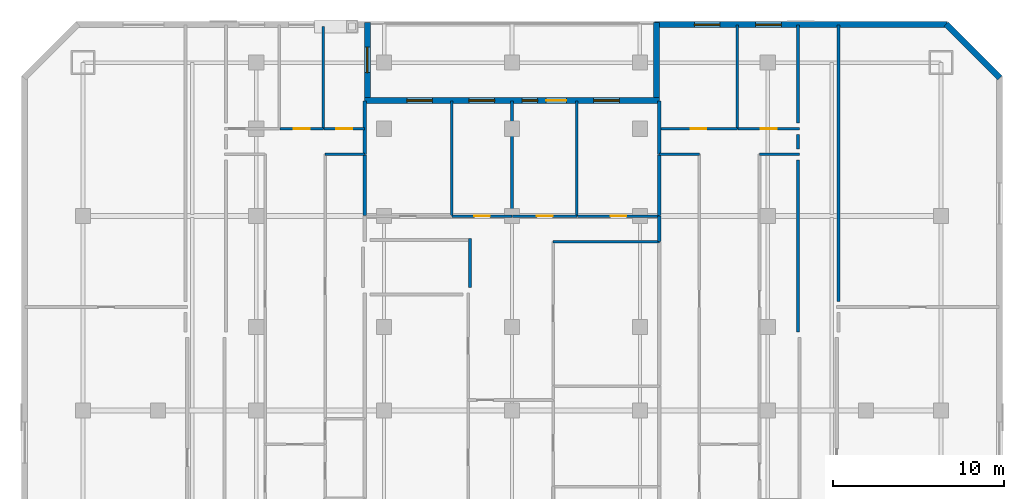
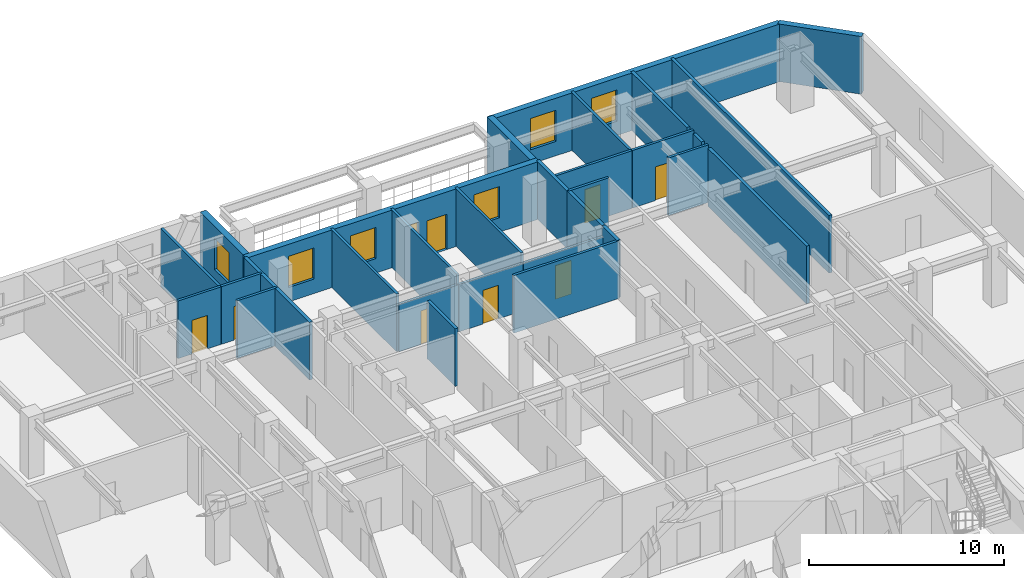
# One storey, part 7 of 9: 31 walls, 8 doors, 7 windows, 15 openings.
"""IFC4 building model written with IfcOpenShell, lengths in metres."""

from ifc_helpers import new_model, si_unit, direction, frame, frame_2d, origin, place, context, subcontext, project, spatial, rectangle, extrude, material, layer, layer_set, type_object, element, fill, save


model = new_model("IFC4")

# Units and contexts
model_context = context("Model", 3, precision=1e-05, world=origin(), true_north=direction((0.0, 1.0)))
body_context = subcontext(model_context, "Body", "Model", "MODEL_VIEW")
ifc_project = project(units=[si_unit("LENGTHUNIT", "METRE"), si_unit("AREAUNIT", "SQUARE_METRE"), si_unit("VOLUMEUNIT", "CUBIC_METRE"), si_unit("PLANEANGLEUNIT", "RADIAN"), si_unit("MASSUNIT", "GRAM", prefix="KILO")], contexts=[model_context])

# Site, building, storey
site_placement = place(None, origin())
site = spatial("IfcSite", under=ifc_project, at=site_placement, CompositionType="ELEMENT")
building_placement = place(site_placement, origin())
building = spatial("IfcBuilding", under=site, at=building_placement, Name="Ventersveld Concourse Tower", CompositionType="ELEMENT")
storey_placement = place(building_placement, frame((0.0, 0.0, 68.300048828125)))
storey = spatial("IfcBuildingStorey", under=building, at=storey_placement, Name="L16", CompositionType="ELEMENT", Elevation=68.300048828125)

# Walls
ifc_material_1 = material(Name="Fire-rated autoclaved aerated masonry blockwork", Category="masonry")
ifc_layer_1 = layer(ifc_material_1, 0.179931640625)
ifc_layer_set_1 = layer_set([ifc_layer_1], Name="Fire-rated autoclaved aerated masonry blockwork")
wall_type_1 = type_object("IfcWallType", Name="WL-CORR-180", PredefinedType="PARTITIONING", material=ifc_layer_set_1)
wall_1_placement = place(storey_placement, frame((47.8798828125, 29.9951171875, 0.0), z_axis=(0.0, 0.0, 1.0), x_axis=(0.0, 1.0, 0.0)))
element("IfcWall", 1, at=wall_1_placement, inside=storey, type_object=wall_type_1, Name="L16 Room Enclosure Wall SP-L16-NELNG2", PredefinedType="PARTITIONING", context=body_context, shape_type="SweptSolid", body=[
    extrude(rectangle(XDim=16.19482421875, YDim=0.179931640625, at=frame_2d((8.097412109375, 0.0))), origin(), (0.0, 0.0, 1.0), 3.599853515625),
])
wall_2_placement = place(storey_placement, frame((45.52001953125, 39.794921875, 0.0), z_axis=(0.0, 0.0, 1.0), x_axis=(0.0, -1.0, 0.0)))
element("IfcWall", 2, at=wall_2_placement, inside=storey, type_object=wall_type_1, Name="L16 Room Enclosure Wall SP-L16-16CE-LIV", PredefinedType="PARTITIONING", context=body_context, shape_type="SweptSolid", body=[
    extrude(rectangle(XDim=0.849853515625, YDim=0.179931640625, at=frame_2d((0.4248046875, 0.0))), origin(), (0.0, 0.0, 1.0), 3.599853515625),
])
wall_3_placement = place(storey_placement, frame((45.52001953125, 38.294921875, 0.0), z_axis=(0.0, 0.0, 1.0), x_axis=(0.0, -1.0, 0.0)))
element("IfcWall", 3, at=wall_3_placement, inside=storey, type_object=wall_type_1, Name="L16 Room Enclosure Wall SP-L16-16CE-SEMR1", PredefinedType="PARTITIONING", context=body_context, shape_type="SweptSolid", body=[
    extrude(rectangle(XDim=10.0849609375, YDim=0.179931640625, at=frame_2d((5.04248046875, 0.0))), origin(), (0.0, 0.0, 1.0), 3.599853515625),
])
wall_4_placement = place(storey_placement, frame((45.52001953125, 46.18994140625, 0.0), z_axis=(0.0, 0.0, 1.0), x_axis=(0.0, -1.0, 0.0)))
element("IfcWall", 4, at=wall_4_placement, inside=storey, type_object=wall_type_1, Name="L16 Room Enclosure Wall SP-L16-16CE-BR2", PredefinedType="PARTITIONING", context=body_context, shape_type="SweptSolid", body=[
    extrude(rectangle(XDim=5.744873046875, YDim=0.179931640625, at=frame_2d((2.87255859375, 0.0))), origin(), (0.0, 0.0, 1.0), 3.599853515625),
])
wall_5_placement = place(storey_placement, frame((26.27880859375, 30.813720703125, 0.0), z_axis=(0.0, 0.0, 1.0), x_axis=(0.0, 1.0, 0.0)))
element("IfcWall", 5, at=wall_5_placement, inside=storey, type_object=wall_type_1, Name="L16 Room Enclosure Wall SP-L16-16CM-LIV", PredefinedType="PARTITIONING", context=body_context, shape_type="SweptSolid", body=[
    extrude(rectangle(XDim=2.871337890625, YDim=0.179931640625, at=frame_2d((1.435546875, 0.0))), origin(), (0.0, 0.0, 1.0), 3.599853515625),
])
ifc_layer_2 = layer(ifc_material_1, 0.199951171875)
ifc_layer_set_2 = layer_set([ifc_layer_2], Name="Fire-rated autoclaved aerated masonry blockwork")
wall_type_2 = type_object("IfcWallType", Name="WL-DEMISE-200", PredefinedType="PARTITIONING", material=ifc_layer_set_2)
wall_6_placement = place(storey_placement, frame((20.110107421875, 38.614990234375, 0.0), z_axis=(0.0, 0.0, 1.0), x_axis=(0.0, 1.0, 0.0)))
element("IfcWall", 6, at=wall_6_placement, inside=storey, type_object=wall_type_2, Name="L16 Interior Partition SP-L16-16CW-LIV-SP-L16-16CM-BR1", PredefinedType="PARTITIONING", context=body_context, shape_type="SweptSolid", body=[
    extrude(rectangle(XDim=3.125, YDim=0.199951171875, at=frame_2d((1.5625, 0.0))), origin(), (0.0, 0.0, 1.0), 3.599853515625),
])
wall_7_placement = place(storey_placement, frame((20.110107421875, 35.034912109375, 0.0), z_axis=(0.0, 0.0, 1.0), x_axis=(0.0, 1.0, 0.0)))
element("IfcWall", 7, at=wall_7_placement, inside=storey, type_object=wall_type_2, Name="L16 Interior Partition SP-L16-16CW-DENR-SP-L16-16CM-BR1", PredefinedType="PARTITIONING", context=body_context, shape_type="SweptSolid", body=[
    extrude(rectangle(XDim=3.550048828125, YDim=0.199951171875, at=frame_2d((1.77490234375, 0.0))), origin(), (0.0, 0.0, 1.0), 3.599853515625),
])
wall_8_placement = place(storey_placement, frame((37.389892578125, 38.614990234375, 0.0), z_axis=(0.0, 0.0, 1.0), x_axis=(0.0, 1.0, 0.0)))
element("IfcWall", 8, at=wall_8_placement, inside=storey, type_object=wall_type_2, Name="L16 Interior Partition SP-L16-16CE-LIV-SP-L16-16CM-BR4", PredefinedType="PARTITIONING", context=body_context, shape_type="SweptSolid", body=[
    extrude(rectangle(XDim=3.125, YDim=0.199951171875, at=frame_2d((1.5625, 0.0))), origin(), (0.0, 0.0, 1.0), 3.599853515625),
])
wall_9_placement = place(storey_placement, frame((37.389892578125, 33.4951171875, 0.0), z_axis=(0.0, 0.0, 1.0), x_axis=(0.0, 1.0, 0.0)))
element("IfcWall", 9, at=wall_9_placement, inside=storey, type_object=wall_type_2, Name="L16 Interior Partition SP-L16-16CE-OFFL0-SP-L16-16CM-LIV", PredefinedType="PARTITIONING", context=body_context, shape_type="SweptSolid", body=[
    extrude(rectangle(XDim=1.509765625, YDim=0.199951171875, at=frame_2d((0.7548828125, 0.0))), origin(), (0.0, 0.0, 1.0), 3.599853515625),
])
wall_10_placement = place(storey_placement, frame((37.389892578125, 35.034912109375, 0.0), z_axis=(0.0, 0.0, 1.0), x_axis=(0.0, 1.0, 0.0)))
element("IfcWall", 10, at=wall_10_placement, inside=storey, type_object=wall_type_2, Name="L16 Interior Partition SP-L16-16CE-OFFL0-SP-L16-16CM-BR4", PredefinedType="PARTITIONING", context=body_context, shape_type="SweptSolid", body=[
    extrude(rectangle(XDim=3.550048828125, YDim=0.199951171875, at=frame_2d((1.77490234375, 0.0))), origin(), (0.0, 0.0, 1.0), 3.599853515625),
])
ifc_material_2 = material(Name="Autoclaved aerated masonry blockwork", Category="masonry")
ifc_layer_3 = layer(ifc_material_2, 0.14990234375)
ifc_layer_set_3 = layer_set([ifc_layer_3], Name="Autoclaved aerated masonry blockwork")
wall_type_3 = type_object("IfcWallType", Name="WL-INT-150", PredefinedType="PARTITIONING", material=ifc_layer_set_3)
wall_11_placement = place(storey_placement, frame((17.78759765625, 38.6201171875, 0.0), z_axis=(0.0, 0.0, 1.0), x_axis=(1.0, 0.0, 0.0)))
element("IfcWall", 11, at=wall_11_placement, inside=storey, type_object=wall_type_3, Name="L16 Interior Partition SP-L16-16CW-LIV-SP-L16-16CW-DENR", PredefinedType="PARTITIONING", context=body_context, shape_type="SweptSolid", body=[
    extrude(rectangle(XDim=2.327392578125, YDim=0.14990234375, at=frame_2d((1.16357421875, 0.0))), origin(), (0.0, 0.0, 1.0), 3.599853515625),
])

# Wall, opening, door
wall_12_placement = place(storey_placement, frame((15.14501953125, 40.1201171875, 0.0), z_axis=(0.0, 0.0, 1.0), x_axis=(1.0, 0.0, 0.0)))
wall_12 = element("IfcWall", 12, at=wall_12_placement, inside=storey, type_object=wall_type_3, Name="L16 Interior Partition SP-L16-16CW-LIV-SP-L16-16CW-BR2", PredefinedType="PARTITIONING", context=body_context, shape_type="SweptSolid", body=[
    extrude(rectangle(XDim=2.550048828125, YDim=0.14990234375, at=frame_2d((1.27490234375, 0.0))), origin(), (0.0, 0.0, 1.0), 3.599853515625),
])
opening_1_placement = place(wall_12_placement, frame((0.81494140625, 0.0, 0.0)))
opening_1 = element("IfcOpeningElement", 13, at=opening_1_placement, cuts=wall_12, Name="Opening ID1", PredefinedType="OPENING", context=body_context, shape_type="SweptSolid", body=[
    extrude(rectangle(XDim=0.919921875, YDim=2.10009765625, at=frame_2d((0.4599609375, 1.050048828125))), frame((0.0, 0.0849609375, 0.0), z_axis=(0.0, -1.0, 0.0), x_axis=(1.0, 0.0, 0.0)), (0.0, 0.0, 1.0), 0.169921875),
])
ifc_material_3 = material(Name="Solid-core hardwood veneer timber", Category="wood")
door_type_1 = type_object("IfcDoorType", Name="DR-ROOM-092", OperationType="NOTDEFINED", PredefinedType="DOOR", material=ifc_material_3)
door_1_placement = place(opening_1_placement, origin())
door_1 = element("IfcDoor", 14, at=door_1_placement, inside=storey, type_object=door_type_1, Name="L16 Interior Door SP-L16-16CW-LIV to SP-L16-16CW-BR2 (D-L16-0743)", OperationType="SINGLE_SWING_LEFT", OverallHeight=2.10009765625, OverallWidth=0.919921875, PredefinedType="DOOR", context=body_context, shape_type="SweptSolid", body=[
    extrude(rectangle(XDim=0.919921875, YDim=2.10009765625, at=frame_2d((0.4599609375, 1.050048828125))), frame((0.0, 0.02490234375, 0.0), z_axis=(0.0, -1.0, 0.0), x_axis=(1.0, 0.0, 0.0)), (0.0, 0.0, 1.0), 0.050048828125),
])
fill(opening_1, door_1)

wall_13_placement = place(storey_placement, frame((17.72509765625, 40.1201171875, 0.0), z_axis=(0.0, 0.0, 1.0), x_axis=(1.0, 0.0, 0.0)))
wall_13 = element("IfcWall", 15, at=wall_13_placement, inside=storey, type_object=wall_type_3, Name="L16 Interior Partition SP-L16-16CW-LIV-SP-L16-16CW-BR3", PredefinedType="PARTITIONING", context=body_context, shape_type="SweptSolid", body=[
    extrude(rectangle(XDim=2.389892578125, YDim=0.14990234375, at=frame_2d((1.19482421875, 0.0))), origin(), (0.0, 0.0, 1.0), 3.599853515625),
])
opening_2_placement = place(wall_13_placement, frame((0.735107421875, 0.0, 0.0)))
opening_2 = element("IfcOpeningElement", 16, at=opening_2_placement, cuts=wall_13, Name="Opening ID1", PredefinedType="OPENING", context=body_context, shape_type="SweptSolid", body=[
    extrude(rectangle(XDim=0.919921875, YDim=2.10009765625, at=frame_2d((0.4599609375, 1.050048828125))), frame((0.0, 0.0849609375, 0.0), z_axis=(0.0, -1.0, 0.0), x_axis=(1.0, 0.0, 0.0)), (0.0, 0.0, 1.0), 0.169921875),
])
door_2_placement = place(opening_2_placement, origin())
door_2 = element("IfcDoor", 17, at=door_2_placement, inside=storey, type_object=door_type_1, Name="L16 Interior Door SP-L16-16CW-LIV to SP-L16-16CW-BR3 (D-L16-0744)", OperationType="SINGLE_SWING_RIGHT", OverallHeight=2.10009765625, OverallWidth=0.919921875, PredefinedType="DOOR", context=body_context, shape_type="SweptSolid", body=[
    extrude(rectangle(XDim=0.919921875, YDim=2.10009765625, at=frame_2d((0.4599609375, 1.050048828125))), frame((0.0, 0.02490234375, 0.0), z_axis=(0.0, -1.0, 0.0), x_axis=(1.0, 0.0, 0.0)), (0.0, 0.0, 1.0), 0.050048828125),
])
fill(opening_2, door_2)

# Walls
wall_14_placement = place(storey_placement, frame((17.68994140625, 40.114990234375, 0.0), z_axis=(0.0, 0.0, 1.0), x_axis=(0.0, 1.0, 0.0)))
element("IfcWall", 18, at=wall_14_placement, inside=storey, type_object=wall_type_3, Name="L16 Interior Partition SP-L16-16CW-BR2-SP-L16-16CW-BR3", PredefinedType="PARTITIONING", context=body_context, shape_type="SweptSolid", body=[
    extrude(rectangle(XDim=5.987060546875, YDim=0.14990234375, at=frame_2d((2.99365234375, 0.0))), origin(), (0.0, 0.0, 1.0), 3.599853515625),
])
for number, where, z_axis, x_axis, name in (
    (19, (37.385009765625, 38.6201171875, 0.0), (0.0, 0.0, 1.0), (1.0, 0.0, 0.0), "L16 Interior Partition SP-L16-16CE-LIV-SP-L16-16CE-OFFL0"),
    (20, (43.254150390625, 38.6201171875, 0.0), (0.0, 0.0, 1.0), (1.0, 0.0, 0.0), "L16 Interior Partition SP-L16-16CE-LIV-SP-L16-16CE-SEMR1"),
):
    element("IfcWall", number, at=place(storey_placement, frame(where, z_axis=z_axis, x_axis=x_axis)), inside=storey, type_object=wall_type_3, Name=name, PredefinedType="PARTITIONING", context=body_context, shape_type="SweptSolid", body=[
        extrude(rectangle(XDim=2.36083984375, YDim=0.14990234375, at=frame_2d((1.180419921875, 0.0))), origin(), (0.0, 0.0, 1.0), 3.599853515625),
    ])

# Wall, opening, door
wall_15_placement = place(storey_placement, frame((37.385009765625, 40.1201171875, 0.0), z_axis=(0.0, 0.0, 1.0), x_axis=(1.0, 0.0, 0.0)))
wall_15 = element("IfcWall", 21, at=wall_15_placement, inside=storey, type_object=wall_type_3, Name="L16 Interior Partition SP-L16-16CE-LIV-SP-L16-16CE-BR1", PredefinedType="PARTITIONING", context=body_context, shape_type="SweptSolid", body=[
    extrude(rectangle(XDim=4.582275390625, YDim=0.14990234375, at=frame_2d((2.291015625, 0.0))), origin(), (0.0, 0.0, 1.0), 3.599853515625),
])
opening_3_placement = place(wall_15_placement, frame((1.831298828125, 0.0, 0.0)))
opening_3 = element("IfcOpeningElement", 22, at=opening_3_placement, cuts=wall_15, Name="Opening ID1", PredefinedType="OPENING", context=body_context, shape_type="SweptSolid", body=[
    extrude(rectangle(XDim=0.919921875, YDim=2.10009765625, at=frame_2d((0.4599609375, 1.050048828125))), frame((0.0, 0.0849609375, 0.0), z_axis=(0.0, -1.0, 0.0), x_axis=(1.0, 0.0, 0.0)), (0.0, 0.0, 1.0), 0.169921875),
])
door_3_placement = place(opening_3_placement, origin())
door_3 = element("IfcDoor", 23, at=door_3_placement, inside=storey, type_object=door_type_1, Name="L16 Interior Door SP-L16-16CE-LIV to SP-L16-16CE-BR1 (D-L16-0752)", OperationType="SINGLE_SWING_RIGHT", OverallHeight=2.10009765625, OverallWidth=0.919921875, PredefinedType="DOOR", context=body_context, shape_type="SweptSolid", body=[
    extrude(rectangle(XDim=0.919921875, YDim=2.10009765625, at=frame_2d((0.4599609375, 1.050048828125))), frame((0.0, 0.02490234375, 0.0), z_axis=(0.0, -1.0, 0.0), x_axis=(1.0, 0.0, 0.0)), (0.0, 0.0, 1.0), 0.050048828125),
])
fill(opening_3, door_3)

wall_16_placement = place(storey_placement, frame((41.997314453125, 40.1201171875, 0.0), z_axis=(0.0, 0.0, 1.0), x_axis=(1.0, 0.0, 0.0)))
wall_16 = element("IfcWall", 24, at=wall_16_placement, inside=storey, type_object=wall_type_3, Name="L16 Interior Partition SP-L16-16CE-LIV-SP-L16-16CE-BR2", PredefinedType="PARTITIONING", context=body_context, shape_type="SweptSolid", body=[
    extrude(rectangle(XDim=3.61767578125, YDim=0.14990234375, at=frame_2d((1.808837890625, 0.0))), origin(), (0.0, 0.0, 1.0), 3.599853515625),
])
opening_4_placement = place(wall_16_placement, frame((1.348876953125, 0.0, 0.0)))
opening_4 = element("IfcOpeningElement", 25, at=opening_4_placement, cuts=wall_16, Name="Opening ID1", PredefinedType="OPENING", context=body_context, shape_type="SweptSolid", body=[
    extrude(rectangle(XDim=0.919921875, YDim=2.10009765625, at=frame_2d((0.4599609375, 1.050048828125))), frame((0.0, 0.0849609375, 0.0), z_axis=(0.0, -1.0, 0.0), x_axis=(1.0, 0.0, 0.0)), (0.0, 0.0, 1.0), 0.169921875),
])
door_4_placement = place(opening_4_placement, origin())
door_4 = element("IfcDoor", 26, at=door_4_placement, inside=storey, type_object=door_type_1, Name="L16 Interior Door SP-L16-16CE-LIV to SP-L16-16CE-BR2 (D-L16-0753)", OperationType="SINGLE_SWING_LEFT", OverallHeight=2.10009765625, OverallWidth=0.919921875, PredefinedType="DOOR", context=body_context, shape_type="SweptSolid", body=[
    extrude(rectangle(XDim=0.919921875, YDim=2.10009765625, at=frame_2d((0.4599609375, 1.050048828125))), frame((0.0, 0.02490234375, 0.0), z_axis=(0.0, -1.0, 0.0), x_axis=(1.0, 0.0, 0.0)), (0.0, 0.0, 1.0), 0.050048828125),
])
fill(opening_4, door_4)

# Walls
wall_17_placement = place(storey_placement, frame((41.96240234375, 40.114990234375, 0.0), z_axis=(0.0, 0.0, 1.0), x_axis=(0.0, 1.0, 0.0)))
element("IfcWall", 27, at=wall_17_placement, inside=storey, type_object=wall_type_3, Name="L16 Interior Partition SP-L16-16CE-BR1-SP-L16-16CE-BR2", PredefinedType="PARTITIONING", context=body_context, shape_type="SweptSolid", body=[
    extrude(rectangle(XDim=6.074951171875, YDim=0.14990234375, at=frame_2d((3.03759765625, 0.0))), origin(), (0.0, 0.0, 1.0), 3.599853515625),
])
wall_18_placement = place(storey_placement, frame((31.163818359375, 33.5, 0.0), z_axis=(0.0, 0.0, 1.0), x_axis=(1.0, 0.0, 0.0)))
element("IfcWall", 28, at=wall_18_placement, inside=storey, type_object=wall_type_3, Name="L16 Interior Partition SP-L16-16CM-LIV-SP-L16-16CM-DENS2", PredefinedType="PARTITIONING", context=body_context, shape_type="SweptSolid", body=[
    extrude(rectangle(XDim=6.231201171875, YDim=0.14990234375, at=frame_2d((3.11572265625, 0.0))), origin(), (0.0, 0.0, 1.0), 3.599853515625),
])

# Wall, opening, door
wall_19_placement = place(storey_placement, frame((25.2412109375, 35.0, 0.0), z_axis=(0.0, 0.0, 1.0), x_axis=(1.0, 0.0, 0.0)))
wall_19 = element("IfcWall", 29, at=wall_19_placement, inside=storey, type_object=wall_type_3, Name="L16 Interior Partition SP-L16-16CM-LIV-SP-L16-16CM-BR2", PredefinedType="PARTITIONING", context=body_context, shape_type="SweptSolid", body=[
    extrude(rectangle(XDim=3.513671875, YDim=0.14990234375, at=frame_2d((1.7568359375, 0.0))), origin(), (0.0, 0.0, 1.0), 2.964111328125),
])
opening_5_placement = place(wall_19_placement, frame((1.296875, 0.0, 0.0)))
opening_5 = element("IfcOpeningElement", 30, at=opening_5_placement, cuts=wall_19, Name="Opening ID1", PredefinedType="OPENING", context=body_context, shape_type="SweptSolid", body=[
    extrude(rectangle(XDim=0.919921875, YDim=2.10009765625, at=frame_2d((0.4599609375, 1.050048828125))), frame((0.0, 0.0849609375, 0.0), z_axis=(0.0, -1.0, 0.0), x_axis=(1.0, 0.0, 0.0)), (0.0, 0.0, 1.0), 0.169921875),
])
door_5_placement = place(opening_5_placement, origin())
door_5 = element("IfcDoor", 31, at=door_5_placement, inside=storey, type_object=door_type_1, Name="L16 Interior Door SP-L16-16CM-LIV to SP-L16-16CM-BR2 (D-L16-0764)", OperationType="SINGLE_SWING_RIGHT", OverallHeight=2.10009765625, OverallWidth=0.919921875, PredefinedType="DOOR", context=body_context, shape_type="SweptSolid", body=[
    extrude(rectangle(XDim=0.919921875, YDim=2.10009765625, at=frame_2d((0.4599609375, 1.050048828125))), frame((0.0, 0.02490234375, 0.0), z_axis=(0.0, -1.0, 0.0), x_axis=(1.0, 0.0, 0.0)), (0.0, 0.0, 1.0), 0.050048828125),
])
fill(opening_5, door_5)

wall_20_placement = place(storey_placement, frame((28.784912109375, 35.0, 0.0), z_axis=(0.0, 0.0, 1.0), x_axis=(1.0, 0.0, 0.0)))
wall_20 = element("IfcWall", 32, at=wall_20_placement, inside=storey, type_object=wall_type_3, Name="L16 Interior Partition SP-L16-16CM-LIV-SP-L16-16CM-BR3", PredefinedType="PARTITIONING", context=body_context, shape_type="SweptSolid", body=[
    extrude(rectangle(XDim=3.772705078125, YDim=0.14990234375, at=frame_2d((1.88623046875, 0.0))), origin(), (0.0, 0.0, 1.0), 2.964111328125),
])
opening_6_placement = place(wall_20_placement, frame((1.42626953125, 0.0, 0.0)))
opening_6 = element("IfcOpeningElement", 33, at=opening_6_placement, cuts=wall_20, Name="Opening ID1", PredefinedType="OPENING", context=body_context, shape_type="SweptSolid", body=[
    extrude(rectangle(XDim=0.919921875, YDim=2.10009765625, at=frame_2d((0.4599609375, 1.050048828125))), frame((0.0, 0.0849609375, 0.0), z_axis=(0.0, -1.0, 0.0), x_axis=(1.0, 0.0, 0.0)), (0.0, 0.0, 1.0), 0.169921875),
])
door_6_placement = place(opening_6_placement, origin())
door_6 = element("IfcDoor", 34, at=door_6_placement, inside=storey, type_object=door_type_1, Name="L16 Interior Door SP-L16-16CM-LIV to SP-L16-16CM-BR3 (D-L16-0765)", OperationType="SINGLE_SWING_LEFT", OverallHeight=2.10009765625, OverallWidth=0.919921875, PredefinedType="DOOR", context=body_context, shape_type="SweptSolid", body=[
    extrude(rectangle(XDim=0.919921875, YDim=2.10009765625, at=frame_2d((0.4599609375, 1.050048828125))), frame((0.0, 0.02490234375, 0.0), z_axis=(0.0, -1.0, 0.0), x_axis=(1.0, 0.0, 0.0)), (0.0, 0.0, 1.0), 0.050048828125),
])
fill(opening_6, door_6)

wall_21_placement = place(storey_placement, frame((32.58740234375, 35.0, 0.0), z_axis=(0.0, 0.0, 1.0), x_axis=(1.0, 0.0, 0.0)))
wall_21 = element("IfcWall", 35, at=wall_21_placement, inside=storey, type_object=wall_type_3, Name="L16 Interior Partition SP-L16-16CM-LIV-SP-L16-16CM-BR4", PredefinedType="PARTITIONING", context=body_context, shape_type="SweptSolid", body=[
    extrude(rectangle(XDim=4.8076171875, YDim=0.14990234375, at=frame_2d((2.40380859375, 0.0))), origin(), (0.0, 0.0, 1.0), 2.964111328125),
])
opening_7_placement = place(wall_21_placement, frame((1.94384765625, 0.0, 0.0)))
opening_7 = element("IfcOpeningElement", 36, at=opening_7_placement, cuts=wall_21, Name="Opening ID1", PredefinedType="OPENING", context=body_context, shape_type="SweptSolid", body=[
    extrude(rectangle(XDim=0.919921875, YDim=2.10009765625, at=frame_2d((0.4599609375, 1.050048828125))), frame((0.0, 0.0849609375, 0.0), z_axis=(0.0, -1.0, 0.0), x_axis=(1.0, 0.0, 0.0)), (0.0, 0.0, 1.0), 0.169921875),
])
door_7_placement = place(opening_7_placement, origin())
door_7 = element("IfcDoor", 37, at=door_7_placement, inside=storey, type_object=door_type_1, Name="L16 Interior Door SP-L16-16CM-LIV to SP-L16-16CM-BR4 (D-L16-0766)", OperationType="SINGLE_SWING_RIGHT", OverallHeight=2.10009765625, OverallWidth=0.919921875, PredefinedType="DOOR", context=body_context, shape_type="SweptSolid", body=[
    extrude(rectangle(XDim=0.919921875, YDim=2.10009765625, at=frame_2d((0.4599609375, 1.050048828125))), frame((0.0, 0.02490234375, 0.0), z_axis=(0.0, -1.0, 0.0), x_axis=(1.0, 0.0, 0.0)), (0.0, 0.0, 1.0), 0.050048828125),
])
fill(opening_7, door_7)

# Walls
for number, where, z_axis, x_axis, name in (
    (38, (25.206298828125, 34.9951171875, 0.0), (0.0, 0.0, 1.0), (0.0, 1.0, 0.0), "L16 Interior Partition SP-L16-16CM-BR1-SP-L16-16CM-BR2"),
    (39, (28.75, 34.9951171875, 0.0), (0.0, 0.0, 1.0), (0.0, 1.0, 0.0), "L16 Interior Partition SP-L16-16CM-BR2-SP-L16-16CM-BR3"),
    (40, (32.552490234375, 34.9951171875, 0.0), (0.0, 0.0, 1.0), (0.0, 1.0, 0.0), "L16 Interior Partition SP-L16-16CM-BR3-SP-L16-16CM-BR4"),
):
    element("IfcWall", number, at=place(storey_placement, frame(where, z_axis=z_axis, x_axis=x_axis)), inside=storey, type_object=wall_type_3, Name=name, PredefinedType="PARTITIONING", context=body_context, shape_type="SweptSolid", body=[
        extrude(rectangle(XDim=6.744873046875, YDim=0.14990234375, at=frame_2d((3.37255859375, 0.0))), origin(), (0.0, 0.0, 1.0), 3.599853515625),
    ])
ifc_material_4 = material(Name="Precast concrete C45/55", Category="concrete")
ifc_layer_4 = layer(ifc_material_4, 0.35009765625)
ifc_layer_set_4 = layer_set([ifc_layer_4], Name="Precast concrete C45/55")
wall_type_4 = type_object("IfcWallType", Name="WL-PREC-350", PredefinedType="SOLIDWALL", material=ifc_layer_set_4)
wall_22_placement = place(storey_placement, frame((57.347900390625, 43.1044921875, 0.0), z_axis=(0.0, 0.0, 1.0), x_axis=(-0.707079321262, 0.707134240044, 0.0)))
element("IfcWall", 41, at=wall_22_placement, inside=storey, type_object=wall_type_4, Name="L16 Highveld Precast Facade Wall E04", PredefinedType="SOLIDWALL", context=body_context, shape_type="SweptSolid", body=[
    extrude(rectangle(XDim=4.445556640625, YDim=0.35009765625, at=frame_2d((2.22265625, 0.0))), origin(), (0.0, 0.0, 1.0), 3.599853515625),
])

# Wall, openings, windows
wall_23_placement = place(storey_placement, frame((54.260009765625, 46.22509765625, 0.0), z_axis=(0.0, 0.0, 1.0), x_axis=(-1.0, 0.0, 0.0)))
wall_23 = element("IfcWall", 42, at=wall_23_placement, inside=storey, type_object=wall_type_4, Name="L16 Highveld Precast Facade Wall E05", PredefinedType="SOLIDWALL", context=body_context, shape_type="SweptSolid", body=[
    extrude(rectangle(XDim=17.169921875, YDim=0.35009765625, at=frame_2d((8.5849609375, 0.0))), origin(), (0.0, 0.0, 1.0), 3.599853515625),
])
opening_8_placement = place(wall_23_placement, frame((13.31640625, 0.0, 0.89990234375)))
opening_8 = element("IfcOpeningElement", 43, at=opening_8_placement, cuts=wall_23, Name="Opening W1", PredefinedType="OPENING", context=body_context, shape_type="SweptSolid", body=[
    extrude(rectangle(XDim=1.5, YDim=1.949951171875, at=frame_2d((0.75, 0.97509765625))), frame((0.0, 0.18505859375, 0.0), z_axis=(0.0, -1.0, 0.0), x_axis=(1.0, 0.0, 0.0)), (0.0, 0.0, 1.0), 0.3701171875),
])
opening_9_placement = place(wall_23_placement, frame((9.723876953125, 0.0, 0.89990234375)))
opening_9 = element("IfcOpeningElement", 44, at=opening_9_placement, cuts=wall_23, Name="Opening W1", PredefinedType="OPENING", context=body_context, shape_type="SweptSolid", body=[
    extrude(rectangle(XDim=1.5, YDim=1.949951171875, at=frame_2d((0.75, 0.97509765625))), frame((0.0, 0.18505859375, 0.0), z_axis=(0.0, -1.0, 0.0), x_axis=(1.0, 0.0, 0.0)), (0.0, 0.0, 1.0), 0.3701171875),
])
ifc_material_5 = material(Name="Tempered acoustic Low-E IGU", Category="glass")
window_type_1 = type_object("IfcWindowType", Name="WIN-150x210", PartitioningType="SINGLE_PANEL", PredefinedType="WINDOW", material=ifc_material_5)
window_1_placement = place(opening_8_placement, origin())
window_1 = element("IfcWindow", 45, at=window_1_placement, inside=storey, type_object=window_type_1, Name="L16 Punched Low-E Window W-0153", OverallHeight=1.949951171875, OverallWidth=1.5, PartitioningType="SINGLE_PANEL", PredefinedType="WINDOW", context=body_context, shape_type="SweptSolid", body=[
    extrude(rectangle(XDim=1.5, YDim=1.949951171875, at=frame_2d((0.75, 0.97509765625))), frame((0.0, 0.030029296875, 0.0), z_axis=(0.0, -1.0, 0.0), x_axis=(1.0, 0.0, 0.0)), (0.0, 0.0, 1.0), 0.06005859375),
])
fill(opening_8, window_1)
window_2_placement = place(opening_9_placement, origin())
window_2 = element("IfcWindow", 46, at=window_2_placement, inside=storey, type_object=window_type_1, Name="L16 Punched Low-E Window W-0154", OverallHeight=1.949951171875, OverallWidth=1.5, PartitioningType="SINGLE_PANEL", PredefinedType="WINDOW", context=body_context, shape_type="SweptSolid", body=[
    extrude(rectangle(XDim=1.5, YDim=1.949951171875, at=frame_2d((0.75, 0.97509765625))), frame((0.0, 0.030029296875, 0.0), z_axis=(0.0, -1.0, 0.0), x_axis=(1.0, 0.0, 0.0)), (0.0, 0.0, 1.0), 0.06005859375),
])
fill(opening_9, window_2)

# Wall
wall_24_placement = place(storey_placement, frame((37.22509765625, 46.360107421875, 0.0), z_axis=(0.0, 0.0, 1.0), x_axis=(0.0, -1.0, 0.0)))
element("IfcWall", 47, at=wall_24_placement, inside=storey, type_object=wall_type_4, Name="L16 Highveld Precast Facade Wall E06", PredefinedType="SOLIDWALL", context=body_context, shape_type="SweptSolid", body=[
    extrude(rectangle(XDim=4.41015625, YDim=0.35009765625, at=frame_2d((2.205078125, 0.0))), origin(), (0.0, 0.0, 1.0), 3.599853515625),
])

# Wall, openings, door, windows
wall_25_placement = place(storey_placement, frame((37.39990234375, 41.77490234375, 0.0), z_axis=(0.0, 0.0, 1.0), x_axis=(-1.0, 0.0, 0.0)))
wall_25 = element("IfcWall", 48, at=wall_25_placement, inside=storey, type_object=wall_type_4, Name="L16 Highveld Precast Facade Wall E07", PredefinedType="SOLIDWALL", context=body_context, shape_type="SweptSolid", body=[
    extrude(rectangle(XDim=17.2998046875, YDim=0.35009765625, at=frame_2d((8.64990234375, 0.0))), origin(), (0.0, 0.0, 1.0), 3.599853515625),
])
opening_10_placement = place(wall_25_placement, frame((5.455078125, 0.0, 0.0)))
opening_10 = element("IfcOpeningElement", 49, at=opening_10_placement, cuts=wall_25, Name="Opening TD1", PredefinedType="OPENING", context=body_context, shape_type="SweptSolid", body=[
    extrude(rectangle(XDim=1.199951171875, YDim=2.199951171875, at=frame_2d((0.60009765625, 1.10009765625))), frame((0.0, 0.18505859375, 0.0), z_axis=(0.0, -1.0, 0.0), x_axis=(1.0, 0.0, 0.0)), (0.0, 0.0, 1.0), 0.3701171875),
])
opening_11_placement = place(wall_25_placement, frame((13.313232421875, 0.0, 0.89990234375)))
opening_11 = element("IfcOpeningElement", 50, at=opening_11_placement, cuts=wall_25, Name="Opening W1", PredefinedType="OPENING", context=body_context, shape_type="SweptSolid", body=[
    extrude(rectangle(XDim=1.5, YDim=1.949951171875, at=frame_2d((0.75, 0.97509765625))), frame((0.0, 0.18505859375, 0.0), z_axis=(0.0, -1.0, 0.0), x_axis=(1.0, 0.0, 0.0)), (0.0, 0.0, 1.0), 0.3701171875),
])
opening_12_placement = place(wall_25_placement, frame((9.671875, 0.0, 0.89990234375)))
opening_12 = element("IfcOpeningElement", 51, at=opening_12_placement, cuts=wall_25, Name="Opening W1", PredefinedType="OPENING", context=body_context, shape_type="SweptSolid", body=[
    extrude(rectangle(XDim=1.5, YDim=1.949951171875, at=frame_2d((0.75, 0.97509765625))), frame((0.0, 0.18505859375, 0.0), z_axis=(0.0, -1.0, 0.0), x_axis=(1.0, 0.0, 0.0)), (0.0, 0.0, 1.0), 0.3701171875),
])
opening_13_placement = place(wall_25_placement, frame((7.152099609375, 0.0, 0.89990234375)))
opening_13 = element("IfcOpeningElement", 52, at=opening_13_placement, cuts=wall_25, Name="Opening W8", PredefinedType="OPENING", context=body_context, shape_type="SweptSolid", body=[
    extrude(rectangle(XDim=0.89990234375, YDim=1.39990234375, at=frame_2d((0.449951171875, 0.699951171875))), frame((0.0, 0.18505859375, 0.0), z_axis=(0.0, -1.0, 0.0), x_axis=(1.0, 0.0, 0.0)), (0.0, 0.0, 1.0), 0.3701171875),
])
opening_14_placement = place(wall_25_placement, frame((2.357421875, 0.0, 0.89990234375)))
opening_14 = element("IfcOpeningElement", 53, at=opening_14_placement, cuts=wall_25, Name="Opening W1", PredefinedType="OPENING", context=body_context, shape_type="SweptSolid", body=[
    extrude(rectangle(XDim=1.5, YDim=1.949951171875, at=frame_2d((0.75, 0.97509765625))), frame((0.0, 0.18505859375, 0.0), z_axis=(0.0, -1.0, 0.0), x_axis=(1.0, 0.0, 0.0)), (0.0, 0.0, 1.0), 0.3701171875),
])
ifc_material_6 = material(Name="Anodised aluminium EN AW-6063-T6", Category="aluminium")
door_type_2 = type_object("IfcDoorType", Name="DR-TERR-120", OperationType="NOTDEFINED", PredefinedType="DOOR", material=ifc_material_6)
door_8_placement = place(opening_10_placement, frame((1.199951171875, 0.0, 0.0), z_axis=(0.0, 0.0, 1.0), x_axis=(-1.0, 0.0, 0.0)))
door_8 = element("IfcDoor", 54, at=door_8_placement, inside=storey, type_object=door_type_2, Name="L16 Stepped Valley Terrace Door TD-L16-01", OperationType="SINGLE_SWING_LEFT", OverallHeight=2.199951171875, OverallWidth=1.199951171875, PredefinedType="DOOR", context=body_context, shape_type="SweptSolid", body=[
    extrude(rectangle(XDim=1.199951171875, YDim=2.199951171875, at=frame_2d((0.60009765625, 1.10009765625))), frame((0.0, 0.02490234375, 0.0), z_axis=(0.0, -1.0, 0.0), x_axis=(1.0, 0.0, 0.0)), (0.0, 0.0, 1.0), 0.050048828125),
])
fill(opening_10, door_8)
window_type_2 = type_object("IfcWindowType", Name="WIN-090x140", PartitioningType="SINGLE_PANEL", PredefinedType="WINDOW", material=ifc_material_5)
window_3_placement = place(opening_13_placement, origin())
window_3 = element("IfcWindow", 55, at=window_3_placement, inside=storey, type_object=window_type_2, Name="L16 Punched Low-E Window W-0157", OverallHeight=1.39990234375, OverallWidth=0.89990234375, PartitioningType="SINGLE_PANEL", PredefinedType="WINDOW", context=body_context, shape_type="SweptSolid", body=[
    extrude(rectangle(XDim=0.89990234375, YDim=1.39990234375, at=frame_2d((0.449951171875, 0.699951171875))), frame((0.0, 0.030029296875, 0.0), z_axis=(0.0, -1.0, 0.0), x_axis=(1.0, 0.0, 0.0)), (0.0, 0.0, 1.0), 0.06005859375),
])
fill(opening_13, window_3)
window_4_placement = place(opening_11_placement, origin())
window_4 = element("IfcWindow", 56, at=window_4_placement, inside=storey, type_object=window_type_1, Name="L16 Punched Low-E Window W-0155", OverallHeight=1.949951171875, OverallWidth=1.5, PartitioningType="SINGLE_PANEL", PredefinedType="WINDOW", context=body_context, shape_type="SweptSolid", body=[
    extrude(rectangle(XDim=1.5, YDim=1.949951171875, at=frame_2d((0.75, 0.97509765625))), frame((0.0, 0.030029296875, 0.0), z_axis=(0.0, -1.0, 0.0), x_axis=(1.0, 0.0, 0.0)), (0.0, 0.0, 1.0), 0.06005859375),
])
fill(opening_11, window_4)
window_5_placement = place(opening_12_placement, origin())
window_5 = element("IfcWindow", 57, at=window_5_placement, inside=storey, type_object=window_type_1, Name="L16 Punched Low-E Window W-0156", OverallHeight=1.949951171875, OverallWidth=1.5, PartitioningType="SINGLE_PANEL", PredefinedType="WINDOW", context=body_context, shape_type="SweptSolid", body=[
    extrude(rectangle(XDim=1.5, YDim=1.949951171875, at=frame_2d((0.75, 0.97509765625))), frame((0.0, 0.030029296875, 0.0), z_axis=(0.0, -1.0, 0.0), x_axis=(1.0, 0.0, 0.0)), (0.0, 0.0, 1.0), 0.06005859375),
])
fill(opening_12, window_5)
window_6_placement = place(opening_14_placement, origin())
window_6 = element("IfcWindow", 58, at=window_6_placement, inside=storey, type_object=window_type_1, Name="L16 Punched Low-E Window W-0158", OverallHeight=1.949951171875, OverallWidth=1.5, PartitioningType="SINGLE_PANEL", PredefinedType="WINDOW", context=body_context, shape_type="SweptSolid", body=[
    extrude(rectangle(XDim=1.5, YDim=1.949951171875, at=frame_2d((0.75, 0.97509765625))), frame((0.0, 0.030029296875, 0.0), z_axis=(0.0, -1.0, 0.0), x_axis=(1.0, 0.0, 0.0)), (0.0, 0.0, 1.0), 0.06005859375),
])
fill(opening_14, window_6)

# Wall, opening, window
wall_26_placement = place(storey_placement, frame((20.27490234375, 41.949951171875, 0.0), z_axis=(0.0, 0.0, 1.0), x_axis=(0.0, 1.0, 0.0)))
wall_26 = element("IfcWall", 59, at=wall_26_placement, inside=storey, type_object=wall_type_4, Name="L16 Highveld Precast Facade Wall E08", PredefinedType="SOLIDWALL", context=body_context, shape_type="SweptSolid", body=[
    extrude(rectangle(XDim=4.41015625, YDim=0.35009765625, at=frame_2d((2.205078125, 0.0))), origin(), (0.0, 0.0, 1.0), 3.599853515625),
])
opening_15_placement = place(wall_26_placement, frame((1.455078125, 0.0, 0.89990234375)))
opening_15 = element("IfcOpeningElement", 60, at=opening_15_placement, cuts=wall_26, Name="Opening W1", PredefinedType="OPENING", context=body_context, shape_type="SweptSolid", body=[
    extrude(rectangle(XDim=1.5, YDim=1.949951171875, at=frame_2d((0.75, 0.97509765625))), frame((0.0, 0.18505859375, 0.0), z_axis=(0.0, -1.0, 0.0), x_axis=(1.0, 0.0, 0.0)), (0.0, 0.0, 1.0), 0.3701171875),
])
window_7_placement = place(opening_15_placement, origin())
window_7 = element("IfcWindow", 61, at=window_7_placement, inside=storey, type_object=window_type_1, Name="L16 Punched Low-E Window W-0152", OverallHeight=1.949951171875, OverallWidth=1.5, PartitioningType="SINGLE_PANEL", PredefinedType="WINDOW", context=body_context, shape_type="SweptSolid", body=[
    extrude(rectangle(XDim=1.5, YDim=1.949951171875, at=frame_2d((0.75, 0.97509765625))), frame((0.0, 0.030029296875, 0.0), z_axis=(0.0, -1.0, 0.0), x_axis=(1.0, 0.0, 0.0)), (0.0, 0.0, 1.0), 0.06005859375),
])
fill(opening_15, window_7)

save(model, "model.ifc")
